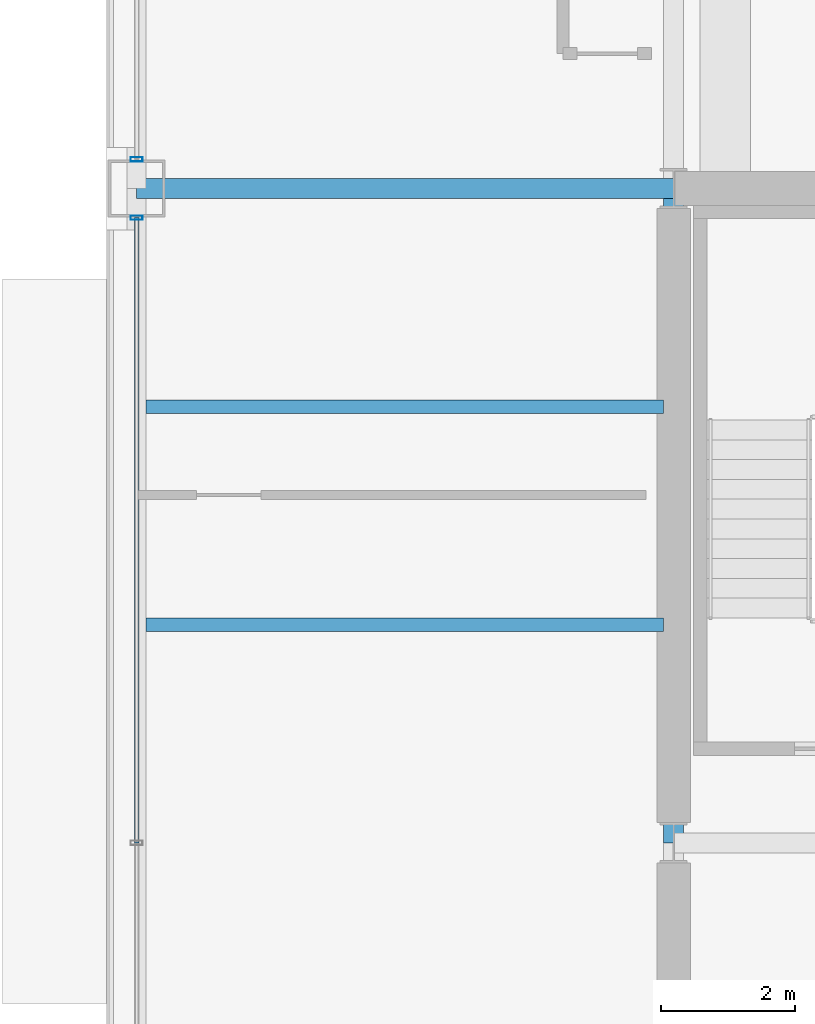
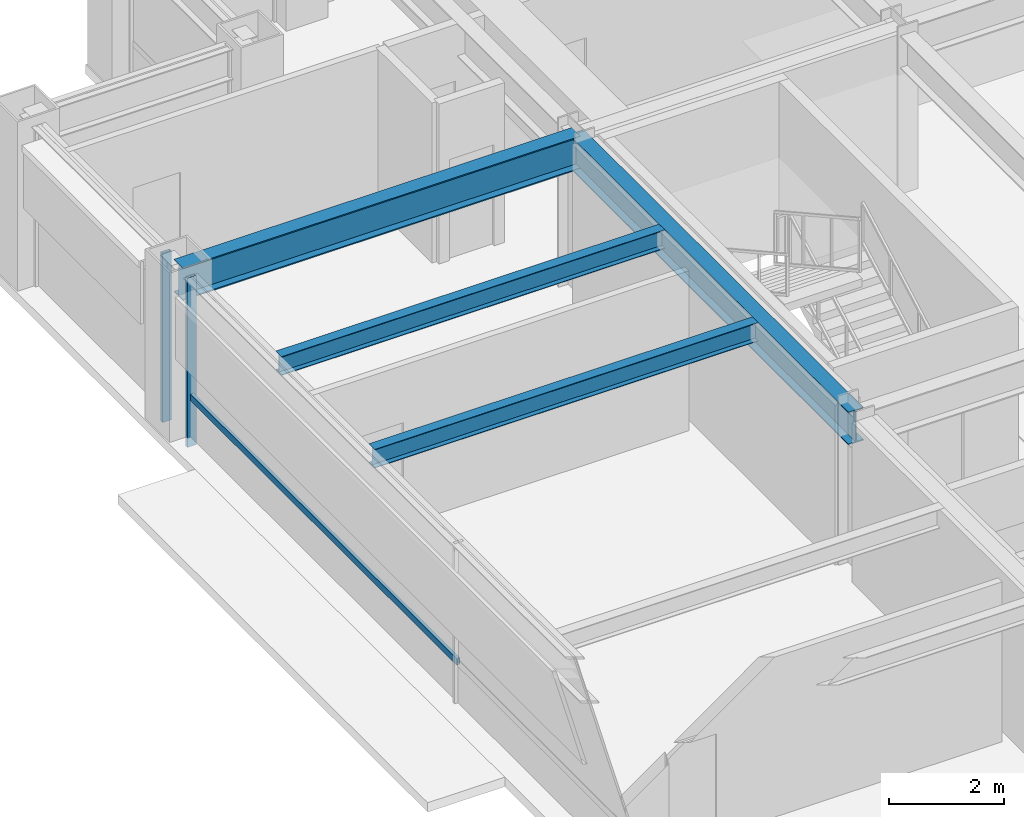
# One storey, part 11 of 34: 4 beams, 3 members, 2 elements without a shape of their own.
"""IFC4 building model written with IfcOpenShell, lengths in metres."""

from ifc_helpers import new_model, si_unit, direction, frame, origin, origin_2d, place, context, subcontext, project, spatial, hollow_rectangle, i_section, extrude, material, layer, layer_set, material_profile, profile_set, type_object, element, aggregate, save


model = new_model("IFC4")

# Units and contexts
model_context = context("Model", 3, precision=1e-05, world=origin(), true_north=direction((0.0, 1.0)))
body_context = subcontext(model_context, "Body", "Model", "MODEL_VIEW")
ifc_project = project(units=[si_unit("LENGTHUNIT", "METRE"), si_unit("AREAUNIT", "SQUARE_METRE"), si_unit("VOLUMEUNIT", "CUBIC_METRE"), si_unit("PLANEANGLEUNIT", "RADIAN"), si_unit("MASSUNIT", "GRAM", prefix="KILO")], contexts=[model_context])

# Site, building, storey
site_placement = place(None, origin())
site = spatial("IfcSite", under=ifc_project, at=site_placement, CompositionType="ELEMENT")
building_placement = place(site_placement, origin())
building = spatial("IfcBuilding", under=site, at=building_placement, Name="Brelmoor Portico Tower", CompositionType="ELEMENT")
storey_placement = place(building_placement, frame((0.0, 0.0, 117.0)))
storey = spatial("IfcBuildingStorey", under=building, at=storey_placement, Name="L30", CompositionType="ELEMENT", Elevation=117.0)

# Beams
ifc_material_1 = material(Name="Steel Q355B", Category="steel")
ifc_material_profile_1 = material_profile(ifc_material_1, i_section(OverallWidth=0.199951171875, OverallDepth=0.39990234375, WebThickness=0.008056640625, FlangeThickness=0.012939453125, at=origin_2d()), Name="HN 400x200x8x13")
ifc_profile_set_1 = profile_set([ifc_material_profile_1], Name="Steel Q355B")
beam_type_1 = type_object("IfcBeamType", Name="BM-JS-400", PredefinedType="JOIST", material=ifc_profile_set_1)
for number, where, z_axis, x_axis, name in (
    (1, (-22.409912109375, 3.25, 3.199951171875), (1.0, 0.0, 0.0), (0.0, 1.0, 0.0), "L30 Secondary Wing Joist JS-W07"),
    (2, (-22.409912109375, 6.5, 3.199951171875), (1.0, 0.0, 0.0), (0.0, 1.0, 0.0), "L30 Secondary Wing Joist JS-W08"),
):
    element("IfcBeam", number, at=place(storey_placement, frame(where, z_axis=z_axis, x_axis=x_axis)), inside=storey, type_object=beam_type_1, Name=name, PredefinedType="JOIST", context=body_context, shape_type="SweptSolid", body=[
        extrude(i_section(OverallWidth=0.199951171875, OverallDepth=0.39990234375, WebThickness=0.008056640625, FlangeThickness=0.012939453125, at=origin_2d()), origin(), (0.0, 0.0, 1.0), 7.7099609375),
    ])
ifc_material_profile_2 = material_profile(ifc_material_1, i_section(OverallWidth=0.300048828125, OverallDepth=0.699951171875, WebThickness=0.012939453125, FlangeThickness=0.02392578125, at=origin_2d()), Name="HN 700x300x13x24")
ifc_profile_set_2 = profile_set([ifc_material_profile_2], Name="Steel Q355B")
beam_type_2 = type_object("IfcBeamType", Name="BM-PG-700", PredefinedType="BEAM", material=ifc_profile_set_2)
beam_1_placement = place(storey_placement, frame((-14.550048828125, 0.0, 3.050048828125), z_axis=(0.0, 1.0, 0.0), x_axis=(-1.0, 0.0, 0.0)))
element("IfcBeam", 3, at=beam_1_placement, inside=storey, type_object=beam_type_2, Name="L30 Primary Floor Girder PG-03", PredefinedType="BEAM", context=body_context, shape_type="SweptSolid", body=[
    extrude(i_section(OverallWidth=0.300048828125, OverallDepth=0.699951171875, WebThickness=0.012939453125, FlangeThickness=0.02392578125, at=origin_2d()), origin(), (0.0, 0.0, 1.0), 9.75),
])
beam_2_placement = place(storey_placement, frame((-22.550048828125, 9.75, 3.050048828125), z_axis=(1.0, 0.0, 0.0), x_axis=(0.0, 1.0, 0.0)))
element("IfcBeam", 4, at=beam_2_placement, inside=storey, type_object=beam_type_2, Name="L30 Primary Floor Girder PG-22", PredefinedType="BEAM", context=body_context, shape_type="SweptSolid", body=[
    extrude(i_section(OverallWidth=0.300048828125, OverallDepth=0.699951171875, WebThickness=0.012939453125, FlangeThickness=0.02392578125, at=origin_2d()), origin(), (0.0, 0.0, 1.0), 8.0),
])

# Curtain wall, member
ifc_material_2 = material(Name="Anodised Aluminium Alloy 6063-T6", Category="aluminium")
ifc_layer_1 = layer(ifc_material_2, 0.179931640625)
ifc_layer_set_1 = layer_set([ifc_layer_1], Name="Anodised Aluminium Alloy 6063-T6")
curtain_wall_type_1 = type_object("IfcCurtainWallType", Name="CW-TOWER-Z2", PredefinedType="NOTDEFINED", material=ifc_layer_set_1)
curtain_wall_1_placement = place(storey_placement, origin())
curtain_wall_1 = element("IfcCurtainWall", 5, at=curtain_wall_1_placement, inside=storey, type_object=curtain_wall_type_1, Name="L30 Curtain Wall CW-L30-03-2", PredefinedType="NOTDEFINED")
ifc_material_profile_3 = material_profile(ifc_material_2, hollow_rectangle(XDim=0.06494140625, YDim=0.179931640625, WallThickness=0.00390625, at=origin_2d()), Name="ALU MULLION 65x180")
ifc_profile_set_3 = profile_set([ifc_material_profile_3], Name="Anodised Aluminium Alloy 6063-T6")
member_type_1 = type_object("IfcMemberType", Name="MB-CW-MULL-180", PredefinedType="MULLION", material=ifc_profile_set_3)
member_1_placement = place(storey_placement, frame((-22.550048828125, 9.31494140625, -0.199951171875), z_axis=(0.0, 0.0, 1.0), x_axis=(0.0, 1.0, 0.0)))
member_1 = element("IfcMember", 6, at=member_1_placement, type_object=member_type_1, Name="CW-L30-03-2 Mullion 02", PredefinedType="MULLION", context=body_context, shape_type="SweptSolid", body=[
    extrude(hollow_rectangle(XDim=0.06494140625, YDim=0.179931640625, WallThickness=0.00390625, at=origin_2d()), origin(), (0.0, 0.0, 1.0), 3.599853515625),
])

ifc_layer_2 = layer(ifc_material_2, 0.179931640625)
ifc_layer_set_2 = layer_set([ifc_layer_2], Name="Anodised Aluminium Alloy 6063-T6")
curtain_wall_type_2 = type_object("IfcCurtainWallType", Name="CW-TOWER-Z2-XB", PredefinedType="NOTDEFINED", material=ifc_layer_set_2)
curtain_wall_2_placement = place(storey_placement, origin())
curtain_wall_2 = element("IfcCurtainWall", 7, at=curtain_wall_2_placement, inside=storey, type_object=curtain_wall_type_2, Name="L30 Curtain Wall CW-L30-03-3", PredefinedType="NOTDEFINED")
member_2_placement = place(storey_placement, frame((-22.550048828125, 10.18505859375, -0.199951171875), z_axis=(0.0, 0.0, 1.0), x_axis=(0.0, 1.0, 0.0)))
member_2 = element("IfcMember", 8, at=member_2_placement, type_object=member_type_1, Name="CW-L30-03-3 Mullion 00", PredefinedType="MULLION", context=body_context, shape_type="SweptSolid", body=[
    extrude(hollow_rectangle(XDim=0.06494140625, YDim=0.179931640625, WallThickness=0.00390625, at=origin_2d()), origin(), (0.0, 0.0, 1.0), 3.599853515625),
])
aggregate(curtain_wall_2, [member_2])

# Member
ifc_material_profile_4 = material_profile(ifc_material_2, hollow_rectangle(XDim=0.06494140625, YDim=0.139892578125, WallThickness=0.00390625, at=origin_2d()), Name="ALU TRANSOM 65x140")
ifc_profile_set_4 = profile_set([ifc_material_profile_4], Name="Anodised Aluminium Alloy 6063-T6")
member_type_2 = type_object("IfcMemberType", Name="MB-CW-TRAN-140", PredefinedType="USERDEFINED", material=ifc_profile_set_4)
member_3_placement = place(storey_placement, frame((-22.550048828125, 0.0, 0.85009765625), z_axis=(0.0, 1.0, 0.0), x_axis=(-1.0, 0.0, 0.0)))
member_3 = element("IfcMember", 9, at=member_3_placement, type_object=member_type_2, Name="CW-L30-03-2 Transom 1-01", ObjectType="TRANSOM", PredefinedType="USERDEFINED", context=body_context, shape_type="SweptSolid", body=[
    extrude(hollow_rectangle(XDim=0.06494140625, YDim=0.139892578125, WallThickness=0.00390625, at=origin_2d()), origin(), (0.0, 0.0, 1.0), 9.31494140625),
])

aggregate(curtain_wall_1, [member_1, member_3])

save(model, "model.ifc")
